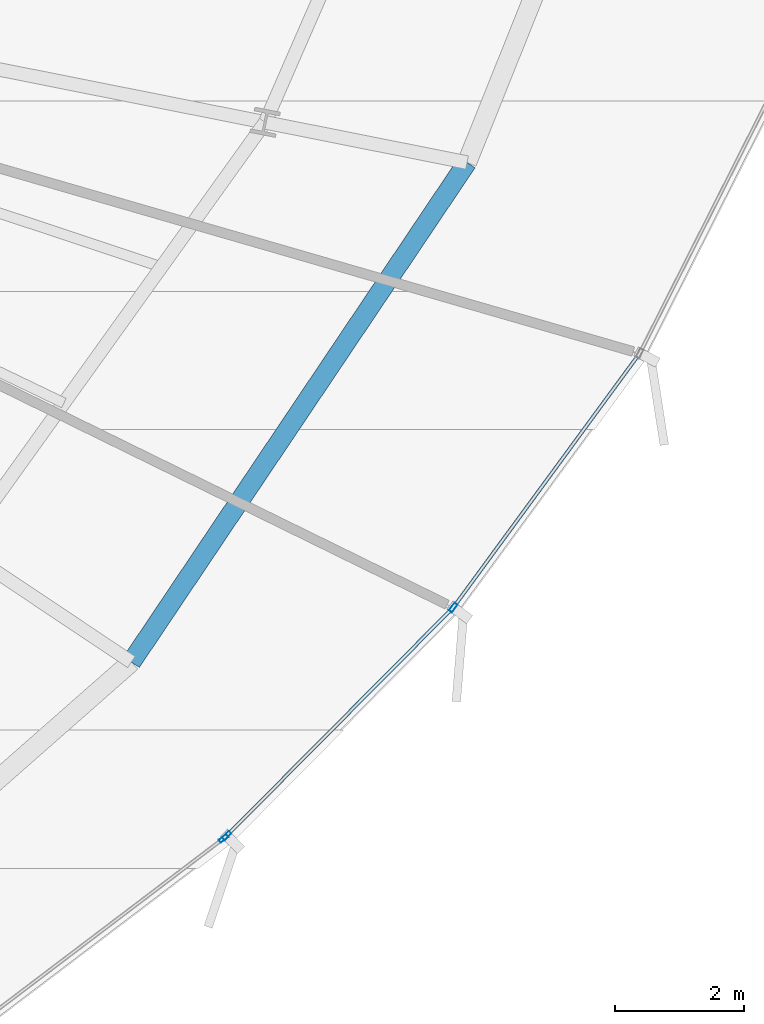
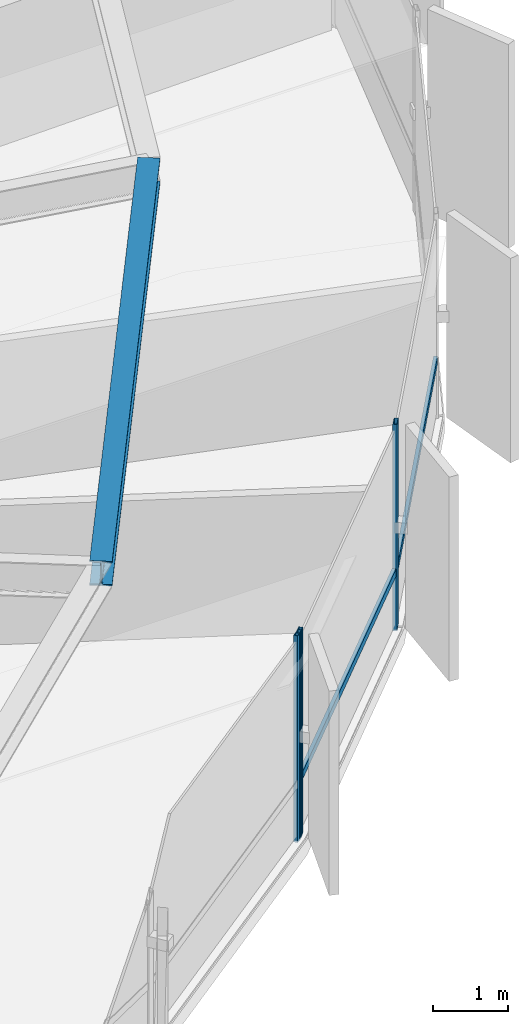
# One storey, part 14 of 35: 5 members, 1 beam, 2 elements without a shape of their own.
"""IFC4 building model written with IfcOpenShell, lengths in metres."""

from ifc_helpers import new_model, si_unit, direction, frame, origin, origin_2d, place, context, subcontext, project, spatial, hollow_rectangle, i_section, extrude, source, transform, mapped, material, layer, layer_set, material_profile, profile_set, type_object, element, aggregate, save


model = new_model("IFC4")

# Units and contexts
model_context = context("Model", 3, precision=1e-05, world=origin(), true_north=direction((0.0, 1.0)))
body_context = subcontext(model_context, "Body", "Model", "MODEL_VIEW")
ifc_project = project(units=[si_unit("LENGTHUNIT", "METRE"), si_unit("AREAUNIT", "SQUARE_METRE"), si_unit("VOLUMEUNIT", "CUBIC_METRE"), si_unit("PLANEANGLEUNIT", "RADIAN"), si_unit("MASSUNIT", "GRAM", prefix="KILO"), si_unit("THERMODYNAMICTEMPERATUREUNIT", "KELVIN")], contexts=[model_context])

# Site, building, storey
site_placement = place(None, origin())
site = spatial("IfcSite", under=ifc_project, at=site_placement, CompositionType="ELEMENT")
building_placement = place(site_placement, origin())
building = spatial("IfcBuilding", under=site, at=building_placement, Name="Kethvar Cultural Tower", CompositionType="ELEMENT")
storey_placement = place(building_placement, frame((0.0, 0.0, 103.60009765625)))
storey = spatial("IfcBuildingStorey", under=building, at=storey_placement, Name="L25", CompositionType="ELEMENT", Elevation=103.60009765625)

# Beam
ifc_material_1 = material(Name="Steel S355J2", Category="steel")
ifc_material_profile_1 = material_profile(ifc_material_1, i_section(OverallWidth=0.300048828125, OverallDepth=0.39990234375, WebThickness=0.013427734375, FlangeThickness=0.02392578125, FilletRadius=0.027099609375, at=origin_2d()), Name="Steel S355J2 — HEB400")
ifc_profile_set_1 = profile_set([ifc_material_profile_1], Name="Steel S355J2 — HEB400")
beam_type = type_object("IfcBeamType", Name="BM-SP400", PredefinedType="SPANDREL", material=ifc_profile_set_1)
shared_shape_1 = source(origin(), body_context, "Body", "SweptSolid", [
    extrude(i_section(OverallWidth=0.300048828125, OverallDepth=0.39990234375, WebThickness=0.013427734375, FlangeThickness=0.02392578125, FilletRadius=0.027099609375, at=origin_2d()), origin(), (0.0, 0.0, 1.0), 9.355224609375),
])
beam_placement = place(storey_placement, frame((65.559326171875, 15.265380859375, 3.14794921875), z_axis=(0.557731714622, 0.830021285573, 0.0), x_axis=(-0.830021285573, 0.557731714622, 0.0)))
element("IfcBeam", 1, at=beam_placement, inside=storey, type_object=beam_type, Name="L25 Perimeter Spandrel Beam SP-15", PredefinedType="SPANDREL", context=body_context, shape_type="MappedRepresentation", body=[
    mapped(shared_shape_1, transform((0.0, 0.0, 0.0), scale=1.0)),
])

# Curtain wall, member
ifc_material_2 = material(Name="Aluminium 6063-T6", Category="aluminium")
ifc_layer = layer(ifc_material_2, 0.179931640625, Name="Aluminium 6063-T6", Category="aluminium")
ifc_layer_set = layer_set([ifc_layer], Name="Aluminium 6063-T6 (180 mm)")
curtain_wall_type = type_object("IfcCurtainWallType", Name="CW-SYS-03-Z2", PredefinedType="NOTDEFINED", material=ifc_layer_set)
curtain_wall_1_placement = place(storey_placement, origin())
curtain_wall_1 = element("IfcCurtainWall", 2, at=curtain_wall_1_placement, inside=storey, type_object=curtain_wall_type, Name="L25 Curtain Wall Run 05", PredefinedType="NOTDEFINED")
ifc_material_profile_2 = material_profile(ifc_material_2, hollow_rectangle(XDim=0.06005859375, YDim=0.14990234375, WallThickness=0.0048828125, at=origin_2d()), Name="Aluminium 6063-T6 — RHS150x60x5")
ifc_profile_set_2 = profile_set([ifc_material_profile_2], Name="Aluminium 6063-T6 — RHS150x60x5")
member_type_1 = type_object("IfcMemberType", Name="CW-SYS-03-Z2-MUL", PredefinedType="MULLION", material=ifc_profile_set_2)
shared_shape_2 = source(origin(), body_context, "Body", "SweptSolid", [
    extrude(hollow_rectangle(XDim=0.06005859375, YDim=0.14990234375, WallThickness=0.0048828125, at=origin_2d()), origin(), (0.0, 0.0, 1.0), 3.349853515625),
])
member_1_placement = place(storey_placement, frame((66.993896484375, 12.5234375, 0.0), z_axis=(0.0, 0.0, 1.0), x_axis=(-0.603959424873, 0.797015064542, 0.0)))
member_1 = element("IfcMember", 3, at=member_1_placement, type_object=member_type_1, Name="CW-L25-R05 Mullion 7", PredefinedType="MULLION", context=body_context, shape_type="MappedRepresentation", body=[
    mapped(shared_shape_2, transform((0.0, 0.0, 0.0), scale=1.0)),
])
aggregate(curtain_wall_1, [member_1])

# Curtain wall, members
curtain_wall_2_placement = place(storey_placement, origin())
curtain_wall_2 = element("IfcCurtainWall", 4, at=curtain_wall_2_placement, inside=storey, type_object=curtain_wall_type, Name="L25 Curtain Wall Run 06", PredefinedType="NOTDEFINED")
member_2_placement = place(storey_placement, frame((67.040283203125, 12.564208984375, 0.0), z_axis=(0.0, 0.0, 1.0), x_axis=(-0.709718299217, 0.704485582363, 0.0)))
member_2 = element("IfcMember", 5, at=member_2_placement, type_object=member_type_1, Name="CW-L25-R06 Mullion 1", PredefinedType="MULLION", context=body_context, shape_type="MappedRepresentation", body=[
    mapped(shared_shape_2, transform((0.0, 0.0, 0.0), scale=1.0)),
])
member_3_placement = place(storey_placement, frame((70.563232421875, 16.111328125, 0.0), z_axis=(0.0, 0.0, 1.0), x_axis=(-0.806444604267, 0.591309648364, 0.0)))
member_3 = element("IfcMember", 6, at=member_3_placement, type_object=member_type_1, Name="CW-L25-R06 Mullion 2", PredefinedType="MULLION", context=body_context, shape_type="MappedRepresentation", body=[
    mapped(shared_shape_2, transform((0.0, 0.0, 0.0), scale=1.0)),
])
ifc_material_profile_3 = material_profile(ifc_material_2, hollow_rectangle(XDim=0.054931640625, YDim=0.1201171875, WallThickness=0.00390625, at=origin_2d()), Name="Aluminium 6063-T6 — RHS120x55x4")
ifc_profile_set_3 = profile_set([ifc_material_profile_3], Name="Aluminium 6063-T6 — RHS120x55x4")
member_type_2 = type_object("IfcMemberType", Name="CW-SYS-03-Z2-TRN", PredefinedType="USERDEFINED", material=ifc_profile_set_3)
shared_shape_3 = source(origin(), body_context, "Body", "SweptSolid", [
    extrude(hollow_rectangle(XDim=0.054931640625, YDim=0.1201171875, WallThickness=0.00390625, at=origin_2d()), origin(), (0.0, 0.0, 1.0), 4.968994140625),
])
member_4_placement = place(storey_placement, frame((67.043212890625, 12.567138671875, 0.949951171875), z_axis=(0.70447326369, 0.709730526852, 0.0), x_axis=(-0.709730526852, 0.70447326369, 0.0)))
member_4 = element("IfcMember", 7, at=member_4_placement, type_object=member_type_2, Name="CW-L25-R06 Transom 1", ObjectType="TRANSOM", PredefinedType="USERDEFINED", context=body_context, shape_type="MappedRepresentation", body=[
    mapped(shared_shape_3, transform((0.0, 0.0, 0.0), scale=1.0)),
])
shared_shape_4 = source(origin(), body_context, "Body", "SweptSolid", [
    extrude(hollow_rectangle(XDim=0.054931640625, YDim=0.1201171875, WallThickness=0.00390625, at=origin_2d()), origin(), (0.0, 0.0, 1.0), 4.83349609375),
])
member_5_placement = place(storey_placement, frame((70.588623046875, 16.14599609375, 0.949951171875), z_axis=(0.591284828197, 0.806462802579, 0.0), x_axis=(-0.806462802579, 0.591284828197, 0.0)))
member_5 = element("IfcMember", 8, at=member_5_placement, type_object=member_type_2, Name="CW-L25-R06 Transom 2", ObjectType="TRANSOM", PredefinedType="USERDEFINED", context=body_context, shape_type="MappedRepresentation", body=[
    mapped(shared_shape_4, transform((0.0, 0.0, 0.0), scale=1.0)),
])
aggregate(curtain_wall_2, [member_2, member_3, member_4, member_5])

save(model, "model.ifc")
